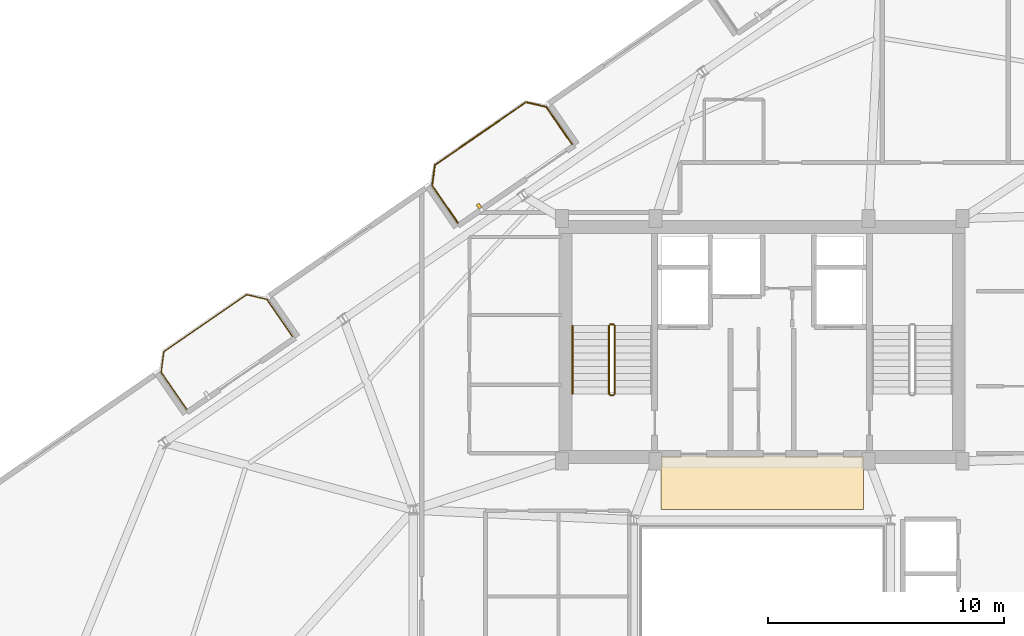
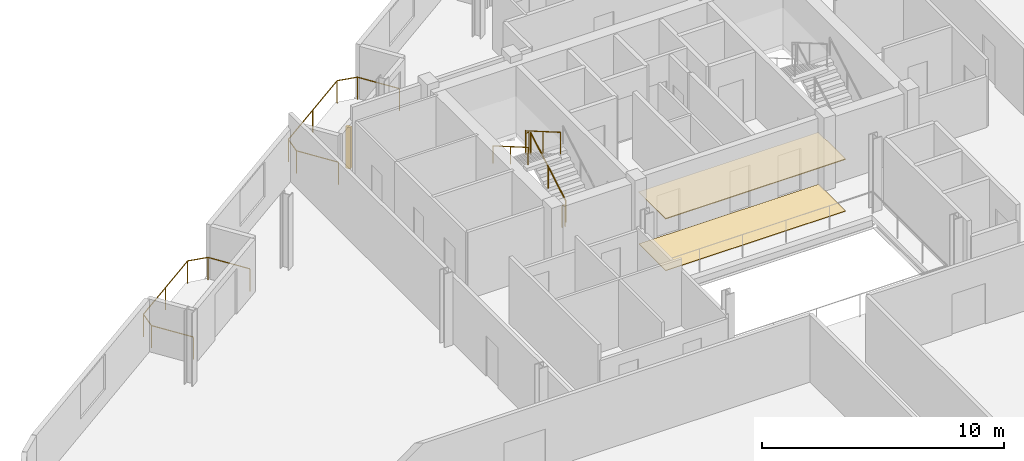
# One storey, part 22 of 23: 7 railings, 2 coverings, 1 shading device.
"""IFC4 building model written with IfcOpenShell, lengths in metres."""

import ifcopenshell
import ifcopenshell.guid

model = None  # the IFC model being written
_history = None  # IfcOwnerHistory: only IFC2X3 demands one
_inside = {}  # id of a spatial element -> (the spatial element, [elements in it])
_under = {}  # id of a project, library or spatial element -> (it, [spatial elements below it])
_declared = {}  # id of a project -> (the project, [libraries it declares])
_typed = {}  # id of a type object -> (the type object, [elements of that type])
_made_of = {}  # id of a material, layer set ... -> (it, [elements and type objects made of it])


def new_model(schema):
    """Start an empty IFC model of exactly this schema.

    Asked for "IFC4X3", IfcOpenShell would pick the latest addendum, in which some entities
    have other attributes; the version numbers below select the first issue.
    IFC2X3 requires an IfcOwnerHistory on every rooted entity: one is made here for all.
    """
    global model, _history
    if schema == "IFC4X3":
        model = ifcopenshell.file(schema_version=(4, 3, 0, 0))
    else:
        model = ifcopenshell.file(schema=schema)
    _inside.clear()
    _under.clear()
    _declared.clear()
    _typed.clear()
    _made_of.clear()
    _history = None
    if model.schema == "IFC2X3":
        org = make("IfcOrganization", Name="unknown")
        user = make(
            "IfcPersonAndOrganization",
            ThePerson=make("IfcPerson", FamilyName="unknown"),
            TheOrganization=org,
        )
        app = make(
            "IfcApplication",
            ApplicationDeveloper=org,
            Version="unknown",
            ApplicationFullName="unknown",
            ApplicationIdentifier="unknown",
        )
        _history = make(
            "IfcOwnerHistory",
            OwningUser=user,
            OwningApplication=app,
            ChangeAction="ADDED",
            CreationDate=0,
        )
    return model


def make(cls, **values):
    """One entity of the class cls with the attributes given. An attribute that is None is left unset."""
    return model.create_entity(
        cls, **{name: value for name, value in values.items() if value is not None}
    )


def rooted(cls, **values):
    """An entity with a GlobalId (a new one), such as an element, a storey or a relation."""
    return make(cls, GlobalId=ifcopenshell.guid.new(), OwnerHistory=_history, **values)


def si_unit(unit_type, name, prefix=None):
    """IfcSIUnit, for example si_unit("LENGTHUNIT", "METRE", prefix="MILLI")."""
    return make("IfcSIUnit", UnitType=unit_type, Prefix=prefix, Name=name)


def assignment(units):
    """IfcUnitAssignment: the units of a project."""
    return None if units is None else make("IfcUnitAssignment", Units=units)


def point(xyz):
    """IfcCartesianPoint."""
    return None if xyz is None else make("IfcCartesianPoint", Coordinates=xyz)


def direction(xyz):
    """IfcDirection."""
    return None if xyz is None else make("IfcDirection", DirectionRatios=xyz)


def frame(location, z_axis=None, x_axis=None):
    """IfcAxis2Placement3D, a coordinate frame: its origin and axes. An axis left out is left unset."""
    return make(
        "IfcAxis2Placement3D",
        Location=point(location),
        Axis=direction(z_axis),
        RefDirection=direction(x_axis),
    )


def frame_2d(location, x_axis=None):
    """IfcAxis2Placement2D, a coordinate frame in the plane: its origin and x axis."""
    return make(
        "IfcAxis2Placement2D", Location=point(location), RefDirection=direction(x_axis)
    )


def origin():
    """The frame at (0, 0, 0) with its axes left unset."""
    return frame((0.0, 0.0, 0.0))


def origin_2d():
    """The frame at (0, 0) in the plane with its x axis left unset."""
    return frame_2d((0.0, 0.0))


def place(relative_to, where):
    """IfcLocalPlacement: puts the frame where relative to a parent placement (None: the world)."""
    return make(
        "IfcLocalPlacement", PlacementRelTo=relative_to, RelativePlacement=where
    )


def context(
    kind, dimensions, precision=None, world=None, true_north=None, identifier=None
):
    """IfcGeometricRepresentationContext, for example the 3D "Model" context."""
    return make(
        "IfcGeometricRepresentationContext",
        ContextIdentifier=identifier,
        ContextType=kind,
        CoordinateSpaceDimension=dimensions,
        Precision=precision,
        WorldCoordinateSystem=world,
        TrueNorth=true_north,
    )


def subcontext(parent, identifier, kind, view, scale=None):
    """IfcGeometricRepresentationSubContext, for example "Body" below "Model"."""
    return make(
        "IfcGeometricRepresentationSubContext",
        ContextIdentifier=identifier,
        ContextType=kind,
        ParentContext=parent,
        TargetScale=scale,
        TargetView=view,
    )


def project(units=None, contexts=None):
    """IfcProject with its units and contexts."""
    return rooted(
        "IfcProject",
        Name="project",
        RepresentationContexts=contexts,
        UnitsInContext=assignment(units),
    )


def spatial(cls, under=None, at=None, **own):
    """A site, building, storey or space (cls), placed at a placement, below another one or the project."""
    s = rooted(cls, ObjectPlacement=at, **own)
    if under is not None:
        _under.setdefault(under.id(), (under, []))[1].append(s)
    return s


def profile(cls, at=None, kind="AREA", **sizes):
    """A parametric profile (cls). Its sizes go by their IFC names, for example OverallWidth=200.0."""
    return make(cls, ProfileType=kind, Position=at, **sizes)


def rectangle(**sizes):
    """IfcRectangleProfileDef."""
    return profile("IfcRectangleProfileDef", **sizes)


def circle(**sizes):
    """IfcCircleProfileDef."""
    return profile("IfcCircleProfileDef", **sizes)


def extrude(swept, where, along, depth):
    """IfcExtrudedAreaSolid: the profile swept, set in the frame where, extruded along a direction by depth."""
    return make(
        "IfcExtrudedAreaSolid",
        SweptArea=swept,
        Position=where,
        ExtrudedDirection=direction(along),
        Depth=depth,
    )


def shape(context_of_items, identifier, shape_type, items):
    """IfcShapeRepresentation: the items that make up one representation, for example the "Body"."""
    return make(
        "IfcShapeRepresentation",
        ContextOfItems=context_of_items,
        RepresentationIdentifier=identifier,
        RepresentationType=shape_type,
        Items=items,
    )


def source(mapping_origin, context_of_items, identifier, shape_type, items):
    """IfcRepresentationMap: a shape defined once, which mapped items show again and again."""
    return make(
        "IfcRepresentationMap",
        MappingOrigin=mapping_origin,
        MappedRepresentation=shape(context_of_items, identifier, shape_type, items),
    )


def transform(
    local_origin,
    x_axis=None,
    y_axis=None,
    z_axis=None,
    scale=None,
    scale2=None,
    scale3=None,
    uniform=True,
):
    """IfcCartesianTransformationOperator3D, or its non-uniform kind. x_axis, y_axis, z_axis: its Axis1, 2, 3."""
    if uniform:
        return make(
            "IfcCartesianTransformationOperator3D",
            Axis1=direction(x_axis),
            Axis2=direction(y_axis),
            LocalOrigin=point(local_origin),
            Scale=scale,
            Axis3=direction(z_axis),
        )
    return make(
        "IfcCartesianTransformationOperator3DnonUniform",
        Axis1=direction(x_axis),
        Axis2=direction(y_axis),
        LocalOrigin=point(local_origin),
        Scale=scale,
        Axis3=direction(z_axis),
        Scale2=scale2,
        Scale3=scale3,
    )


def mapped(mapping_source, mapping_target):
    """IfcMappedItem: shows the shape of a source again, moved by a transform."""
    return make(
        "IfcMappedItem", MappingSource=mapping_source, MappingTarget=mapping_target
    )


def material(Name=None, Category=None):
    """IfcMaterial."""
    return make("IfcMaterial", Name=Name, Category=Category)


def layer(
    of_material, thickness, ventilated=None, Name=None, Category=None, Priority=None
):
    """IfcMaterialLayer: one layer of a wall or slab, of a material (None: an air gap)."""
    return make(
        "IfcMaterialLayer",
        Material=of_material,
        LayerThickness=thickness,
        IsVentilated=ventilated,
        Name=Name,
        Category=Category,
        Priority=Priority,
    )


def layer_set(layers, Name=None):
    """IfcMaterialLayerSet."""
    return make("IfcMaterialLayerSet", MaterialLayers=layers, LayerSetName=Name)


def made_of(thing, what):
    """Note that an element or type object is made of a material, layer set ...; save() writes the relation."""
    if what is not None:
        _made_of.setdefault(what.id(), (what, []))[1].append(thing)
    return thing


def type_object(cls, material=None, **own):
    """A type object (cls), such as IfcWallType, which elements share."""
    return made_of(rooted(cls, **own), material)


def element(
    cls,
    number,
    at=None,
    inside=None,
    cuts=None,
    type_object=None,
    material=None,
    context=None,
    identifier="Body",
    shape_type=None,
    held_by="IfcProductDefinitionShape",
    body=None,
    shapes=None,
    **own,
):
    """One element of the class cls, such as IfcWall. Its Tag is "e" and its number.

    at: its placement. inside: the storey or other place that contains it. cuts: it is an
    opening in that element (IfcRelVoidsElement). A single representation is given by context,
    identifier, shape_type and body (its items); several are given by shapes. held_by: the class
    of the entity that holds the representations. save() writes the other relations.
    """
    e = rooted(cls, Tag="e%d" % number, ObjectPlacement=at, **own)
    if body is not None:
        shapes = [shape(context, identifier, shape_type, body)]
    if shapes is not None:
        e.Representation = make(held_by, Representations=shapes)
    if inside is not None:
        _inside.setdefault(inside.id(), (inside, []))[1].append(e)
    if cuts is not None:
        rooted(
            "IfcRelVoidsElement", RelatingBuildingElement=cuts, RelatedOpeningElement=e
        )
    if type_object is not None:
        _typed.setdefault(type_object.id(), (type_object, []))[1].append(e)
    return made_of(e, material)


def aggregate(whole, parts):
    """IfcRelAggregates: a whole, such as a stair, and the parts it consists of."""
    return rooted("IfcRelAggregates", RelatingObject=whole, RelatedObjects=parts)


def save(model, path):
    """Write the relations noted so far, then the file.

    IfcRelAggregates (storeys below a building ...), IfcRelContainedInSpatialStructure (elements
    in a storey), IfcRelDefinesByType, IfcRelAssociatesMaterial and IfcRelDeclares: one each for
    every whole, place, type object, material and project.
    """
    for whole, parts in _under.values():
        aggregate(whole, parts)
    for where, things in _inside.values():
        rooted(
            "IfcRelContainedInSpatialStructure",
            RelatedElements=things,
            RelatingStructure=where,
        )
    for kind, things in _typed.values():
        rooted("IfcRelDefinesByType", RelatedObjects=things, RelatingType=kind)
    for what, things in _made_of.values():
        rooted("IfcRelAssociatesMaterial", RelatedObjects=things, RelatingMaterial=what)
    for by, libraries in _declared.values():
        rooted("IfcRelDeclares", RelatingContext=by, RelatedDefinitions=libraries)
    model.write(path)


model = new_model("IFC4")

# Units and contexts
model_context = context("Model", 3, precision=1e-05, world=origin(), true_north=direction((0.0, 1.0)))
body_context = subcontext(model_context, "Body", "Model", "MODEL_VIEW")
ifc_project = project(units=[si_unit("LENGTHUNIT", "METRE"), si_unit("AREAUNIT", "SQUARE_METRE"), si_unit("VOLUMEUNIT", "CUBIC_METRE"), si_unit("PLANEANGLEUNIT", "RADIAN"), si_unit("MASSUNIT", "GRAM", prefix="KILO")], contexts=[model_context])

# Site, building, storey
site_placement = place(None, origin())
site = spatial("IfcSite", under=ifc_project, at=site_placement, CompositionType="ELEMENT")
building_placement = place(site_placement, origin())
building = spatial("IfcBuilding", under=site, at=building_placement, Name="Varnelok Gate Tower", CompositionType="ELEMENT")
storey_placement = place(building_placement, frame((0.0, 0.0, 287.800048828125)))
storey = spatial("IfcBuildingStorey", under=building, at=storey_placement, Name="L74", CompositionType="ELEMENT", Elevation=287.800048828125)

# Railings
ifc_material_1 = material(Name="Low-E Laminated Double Glazing IGU", Category="glass")
railing_type_1 = type_object("IfcRailingType", Name="RL-BALC-1150", PredefinedType="BALUSTRADE", material=ifc_material_1)
railing_1_placement = place(storey_placement, frame((14.781982421875, 30.944580078125, 0.0)))
element("IfcRailing", 1, at=railing_1_placement, inside=storey, type_object=railing_type_1, Name="L74 North Terrace Balustrade 4", PredefinedType="BALUSTRADE", context=body_context, shape_type="SweptSolid", body=[
    extrude(circle(Radius=0.02392578125, at=origin_2d()), frame((0.0, 0.0, 1.1259765625), z_axis=(-0.567284155424, 0.82352212296, 0.0), x_axis=(-0.82352212296, -0.567284155424, 0.0)), (0.0, 0.0, 1.0), 1.919921875),
    extrude(circle(Radius=0.02392578125, at=origin_2d()), frame((-1.089111328125, 1.5810546875, 1.1259765625), z_axis=(0.133475040405, 0.991052175008, 0.0), x_axis=(-0.991052175008, 0.133475040405, 0.0)), (0.0, 0.0, 1.0), 0.8779296875),
    extrude(circle(Radius=0.02392578125, at=origin_2d()), frame((-0.971923828125, 2.451171875, 1.1259765625), z_axis=(0.82355749358, 0.567232804735, 0.0), x_axis=(-0.567232804735, 0.82355749358, 0.0)), (0.0, 0.0, 1.0), 4.26708984375),
    extrude(circle(Radius=0.02392578125, at=origin_2d()), frame((2.542236328125, 4.87158203125, 1.1259765625), z_axis=(0.973511928193, -0.228636229993, 0.0), x_axis=(0.228636229993, 0.973511928193, 0.0)), (0.0, 0.0, 1.0), 0.877685546875),
    extrude(circle(Radius=0.02392578125, at=origin_2d()), frame((3.396728515625, 4.6708984375, 1.1259765625), z_axis=(0.567284155424, -0.82352212296, 0.0), x_axis=(0.82352212296, 0.567284155424, 0.0)), (0.0, 0.0, 1.0), 1.919921875),
    extrude(circle(Radius=0.02099609375, at=origin_2d()), origin(), (0.0, 0.0, 1.0), 1.101806640625),
    extrude(circle(Radius=0.02099609375, at=origin_2d()), frame((-1.089111328125, 1.5810546875, 0.0)), (0.0, 0.0, 1.0), 1.101806640625),
    extrude(circle(Radius=0.02099609375, at=origin_2d()), frame((-0.971923828125, 2.451171875, 0.0)), (0.0, 0.0, 1.0), 1.101806640625),
    extrude(circle(Radius=0.02099609375, at=origin_2d()), frame((0.78515625, 3.661376953125, 0.0)), (0.0, 0.0, 1.0), 1.101806640625),
    extrude(circle(Radius=0.02099609375, at=origin_2d()), frame((2.542236328125, 4.87158203125, 0.0)), (0.0, 0.0, 1.0), 1.101806640625),
    extrude(circle(Radius=0.02099609375, at=origin_2d()), frame((3.396728515625, 4.6708984375, 0.0)), (0.0, 0.0, 1.0), 1.101806640625),
    extrude(circle(Radius=0.02099609375, at=origin_2d()), frame((4.48583984375, 3.08984375, 0.0)), (0.0, 0.0, 1.0), 1.101806640625),
])
railing_2_placement = place(storey_placement, frame((26.2841796875, 38.86767578125, 0.0)))
element("IfcRailing", 2, at=railing_2_placement, inside=storey, type_object=railing_type_1, Name="L74 North Terrace Balustrade 5", PredefinedType="BALUSTRADE", context=body_context, shape_type="SweptSolid", body=[
    extrude(circle(Radius=0.02392578125, at=origin_2d()), frame((0.0, 0.0, 1.1259765625), z_axis=(-0.567197904061, 0.82358153065, 0.0), x_axis=(-0.82358153065, -0.567197904061, 0.0)), (0.0, 0.0, 1.0), 1.919677734375),
    extrude(circle(Radius=0.02392578125, at=origin_2d()), frame((-1.0888671875, 1.5810546875, 1.1259765625), z_axis=(0.133238627421, 0.991083986433, 0.0), x_axis=(-0.991083986433, 0.133238627421, 0.0)), (0.0, 0.0, 1.0), 0.877685546875),
    extrude(circle(Radius=0.02392578125, at=origin_2d()), frame((-0.971923828125, 2.450927734375, 1.1259765625), z_axis=(0.823523239622, 0.567282534371, 0.0), x_axis=(-0.567282534371, 0.823523239622, 0.0)), (0.0, 0.0, 1.0), 4.699951171875),
    extrude(circle(Radius=0.02392578125, at=origin_2d()), frame((2.898681640625, 5.1171875, 1.1259765625), z_axis=(0.973526462254, -0.228574336467, 0.0), x_axis=(0.228574336467, 0.973526462254, 0.0)), (0.0, 0.0, 1.0), 0.8779296875),
    extrude(circle(Radius=0.02392578125, at=origin_2d()), frame((3.75341796875, 4.91650390625, 1.1259765625), z_axis=(0.567284155424, -0.82352212296, 0.0), x_axis=(0.82352212296, 0.567284155424, 0.0)), (0.0, 0.0, 1.0), 1.919921875),
    extrude(circle(Radius=0.02099609375, at=origin_2d()), origin(), (0.0, 0.0, 1.0), 1.101806640625),
    extrude(circle(Radius=0.02099609375, at=origin_2d()), frame((-1.0888671875, 1.5810546875, 0.0)), (0.0, 0.0, 1.0), 1.101806640625),
    extrude(circle(Radius=0.02099609375, at=origin_2d()), frame((-0.971923828125, 2.450927734375, 0.0)), (0.0, 0.0, 1.0), 1.101806640625),
    extrude(circle(Radius=0.02099609375, at=origin_2d()), frame((0.96337890625, 3.7841796875, 0.0)), (0.0, 0.0, 1.0), 1.101806640625),
    extrude(circle(Radius=0.02099609375, at=origin_2d()), frame((2.898681640625, 5.1171875, 0.0)), (0.0, 0.0, 1.0), 1.101806640625),
    extrude(circle(Radius=0.02099609375, at=origin_2d()), frame((3.75341796875, 4.91650390625, 0.0)), (0.0, 0.0, 1.0), 1.101806640625),
    extrude(circle(Radius=0.02099609375, at=origin_2d()), frame((4.842529296875, 3.33544921875, 0.0)), (0.0, 0.0, 1.0), 1.101806640625),
])
ifc_material_2 = material(Name="Brushed Stainless Steel AISI 316", Category="steel")
railing_type_2 = type_object("IfcRailingType", Name="RL-HANDRAIL-900", PredefinedType="HANDRAIL", material=ifc_material_2)
railing_3_placement = place(storey_placement, frame((31.14990234375, 34.5, 2.01806640625)))
element("IfcRailing", 3, at=railing_3_placement, inside=storey, type_object=railing_type_2, Name="L74 ST-1 stair handrail 2", PredefinedType="HANDRAIL", context=body_context, shape_type="SweptSolid", body=[
    extrude(circle(Radius=0.02392578125, at=origin_2d()), frame((0.0, 0.0, 0.8759765625), z_axis=(0.0, -0.865038774852, 0.501705010941), x_axis=(1.0, 0.0, 0.0)), (0.0, 0.0, 1.0), 3.352294921875),
    extrude(circle(Radius=0.02099609375, at=origin_2d()), origin(), (0.0, 0.0, 1.0), 0.851806640625),
    extrude(circle(Radius=0.02099609375, at=origin_2d()), frame((0.0, -1.449951171875, 0.8408203125)), (0.0, 0.0, 1.0), 0.851806640625),
    extrude(circle(Radius=0.02099609375, at=origin_2d()), frame((0.0, -2.89990234375, 1.681884765625)), (0.0, 0.0, 1.0), 0.851806640625),
])
ifc_material_3 = material(Name="Galvanized Steel Grade S350GD", Category="steel")
railing_type_3 = type_object("IfcRailingType", Name="RL-STAIR-GUARD1120", PredefinedType="GUARDRAIL", material=ifc_material_3)
railing_4_placement = place(storey_placement, frame((32.949951171875, 31.60009765625, 0.168212890625)))
element("IfcRailing", 4, at=railing_4_placement, inside=storey, type_object=railing_type_3, Name="L74 ST-1 stair guard 1", PredefinedType="GUARDRAIL", context=body_context, shape_type="SweptSolid", body=[
    extrude(circle(Radius=0.02392578125, at=origin_2d()), frame((0.0, 0.0, 1.09619140625), z_axis=(0.0, 0.86507038078, 0.501650512107), x_axis=(-1.0, 0.0, 0.0)), (0.0, 0.0, 1.0), 3.352294921875),
    extrude(circle(Radius=0.02099609375, at=origin_2d()), origin(), (0.0, 0.0, 1.0), 1.072021484375),
    extrude(circle(Radius=0.02099609375, at=origin_2d()), frame((0.0, 1.449951171875, 0.8408203125)), (0.0, 0.0, 1.0), 1.072021484375),
    extrude(circle(Radius=0.02099609375, at=origin_2d()), frame((0.0, 2.89990234375, 1.681640625)), (0.0, 0.0, 1.0), 1.072021484375),
])
railing_5_placement = place(storey_placement, frame((32.89990234375, 34.550048828125, 1.849853515625)))
element("IfcRailing", 5, at=railing_5_placement, inside=storey, type_object=railing_type_3, Name="L74 ST-1 stair guard 2", PredefinedType="GUARDRAIL", context=body_context, shape_type="SweptSolid", body=[
    extrude(circle(Radius=0.02392578125, at=origin_2d()), frame((0.0, 0.0, 1.09619140625), z_axis=(-1.0, 0.0, 0.0), x_axis=(0.0, -1.0, 0.0)), (0.0, 0.0, 1.0), 0.14990234375),
    extrude(circle(Radius=0.02099609375, at=origin_2d()), origin(), (0.0, 0.0, 1.0), 1.072021484375),
    extrude(circle(Radius=0.02099609375, at=origin_2d()), frame((-0.14990234375, 0.0, 0.0)), (0.0, 0.0, 1.0), 1.072021484375),
])
railing_6_placement = place(storey_placement, frame((32.699951171875, 34.5, 2.01806640625)))
element("IfcRailing", 6, at=railing_6_placement, inside=storey, type_object=railing_type_3, Name="L74 ST-1 stair guard 3", PredefinedType="GUARDRAIL", context=body_context, shape_type="SweptSolid", body=[
    extrude(circle(Radius=0.02392578125, at=origin_2d()), frame((0.0, 0.0, 1.09619140625), z_axis=(0.0, -0.865038774852, 0.501705010941), x_axis=(1.0, 0.0, 0.0)), (0.0, 0.0, 1.0), 3.352294921875),
    extrude(circle(Radius=0.02099609375, at=origin_2d()), origin(), (0.0, 0.0, 1.0), 1.072021484375),
    extrude(circle(Radius=0.02099609375, at=origin_2d()), frame((0.0, -1.449951171875, 0.8408203125)), (0.0, 0.0, 1.0), 1.072021484375),
    extrude(circle(Radius=0.02099609375, at=origin_2d()), frame((0.0, -2.89990234375, 1.681884765625)), (0.0, 0.0, 1.0), 1.072021484375),
])
railing_7_placement = place(storey_placement, frame((32.89990234375, 31.550048828125, 0.0)))
element("IfcRailing", 7, at=railing_7_placement, inside=storey, type_object=railing_type_3, Name="L74 ST-1 stair guard 4", PredefinedType="GUARDRAIL", context=body_context, shape_type="SweptSolid", body=[
    extrude(circle(Radius=0.02392578125, at=origin_2d()), frame((0.0, 0.0, 1.09619140625), z_axis=(-1.0, 0.0, 0.0), x_axis=(0.0, -1.0, 0.0)), (0.0, 0.0, 1.0), 0.14990234375),
    extrude(circle(Radius=0.02099609375, at=origin_2d()), origin(), (0.0, 0.0, 1.0), 1.072021484375),
    extrude(circle(Radius=0.02099609375, at=origin_2d()), frame((-0.14990234375, 0.0, 0.0)), (0.0, 0.0, 1.0), 1.072021484375),
])

# Shading device
ifc_material_4 = material(Name="Glazed Architectural Terracotta Ceramic", Category="masonry")
shading_device_type = type_object("IfcShadingDeviceType", Name="SHD-TERRA-BAGUETTE", PredefinedType="USERDEFINED", material=ifc_material_4)
shared_shape_1 = source(origin(), body_context, "Body", "SweptSolid", [
    extrude(rectangle(XDim=0.139892578125, YDim=0.219970703125, at=origin_2d()), origin(), (0.0, 0.0, 1.0), 2.10009765625),
])
shading_device_placement = place(storey_placement, frame((27.18359375, 39.572021484375, 0.099853515625), z_axis=(0.0, 0.0, 1.0), x_axis=(0.823532597628, 0.567268949127, 0.0)))
element("IfcShadingDevice", 8, at=shading_device_placement, inside=storey, type_object=shading_device_type, Name="L74 Terracotta Ceramic Baguette Sunscreen 5.1", ObjectType="BAGUETTE", PredefinedType="USERDEFINED", context=body_context, shape_type="MappedRepresentation", body=[
    mapped(shared_shape_1, transform((0.0, 0.0, 0.0), scale=1.0)),
])

# Coverings
ifc_material_5 = material(Name="Honed Travertine Stone Flooring", Category="masonry")
ifc_layer_1 = layer(ifc_material_5, 0.02490234375)
ifc_layer_set_1 = layer_set([ifc_layer_1], Name="Honed Travertine Stone Flooring")
covering_type_1 = type_object("IfcCoveringType", Name="COV-FLOR-STONE", PredefinedType="FLOORING", material=ifc_layer_set_1)
shared_shape_2 = source(origin(), body_context, "Body", "SweptSolid", [
    extrude(rectangle(XDim=8.60009765625, YDim=2.219970703125, at=origin_2d()), origin(), (0.0, 0.0, 1.0), 0.02490234375),
])
covering_1_placement = place(storey_placement, frame((39.199951171875, 27.800048828125, 0.0), z_axis=(0.0, 0.0, 1.0), x_axis=(1.0, 0.0, 0.0)))
element("IfcCovering", 9, at=covering_1_placement, inside=storey, type_object=covering_type_1, Name="L74 Core Gallery Stone Flooring", PredefinedType="FLOORING", context=body_context, shape_type="MappedRepresentation", body=[
    mapped(shared_shape_2, transform((0.0, 0.0, 0.0), scale=1.0)),
])
ifc_material_6 = material(Name="Mineral Fiber Acoustic Ceiling Tile")
ifc_layer_2 = layer(ifc_material_6, 0.0400390625)
ifc_layer_set_2 = layer_set([ifc_layer_2], Name="Mineral Fiber Acoustic Ceiling Tile")
covering_type_2 = type_object("IfcCoveringType", Name="COV-CEIL-ACOUST", PredefinedType="CEILING", material=ifc_layer_set_2)
shared_shape_3 = source(origin(), body_context, "Body", "SweptSolid", [
    extrude(rectangle(XDim=8.60009765625, YDim=2.239990234375, at=origin_2d()), origin(), (0.0, 0.0, 1.0), 0.0400390625),
])
covering_2_placement = place(storey_placement, frame((39.199951171875, 27.820068359375, 2.599853515625), z_axis=(0.0, 0.0, 1.0), x_axis=(1.0, 0.0, 0.0)))
element("IfcCovering", 10, at=covering_2_placement, inside=storey, type_object=covering_type_2, Name="L74 Core Gallery Acoustic Ceiling", PredefinedType="CEILING", context=body_context, shape_type="MappedRepresentation", body=[
    mapped(shared_shape_3, transform((0.0, 0.0, 0.0), scale=1.0)),
])

save(model, "model.ifc")
